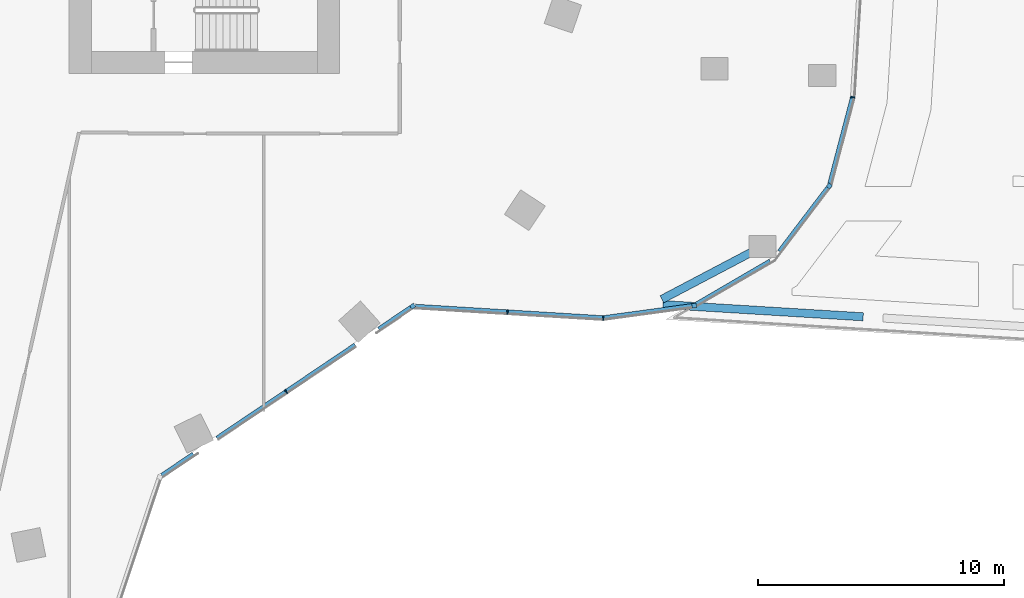
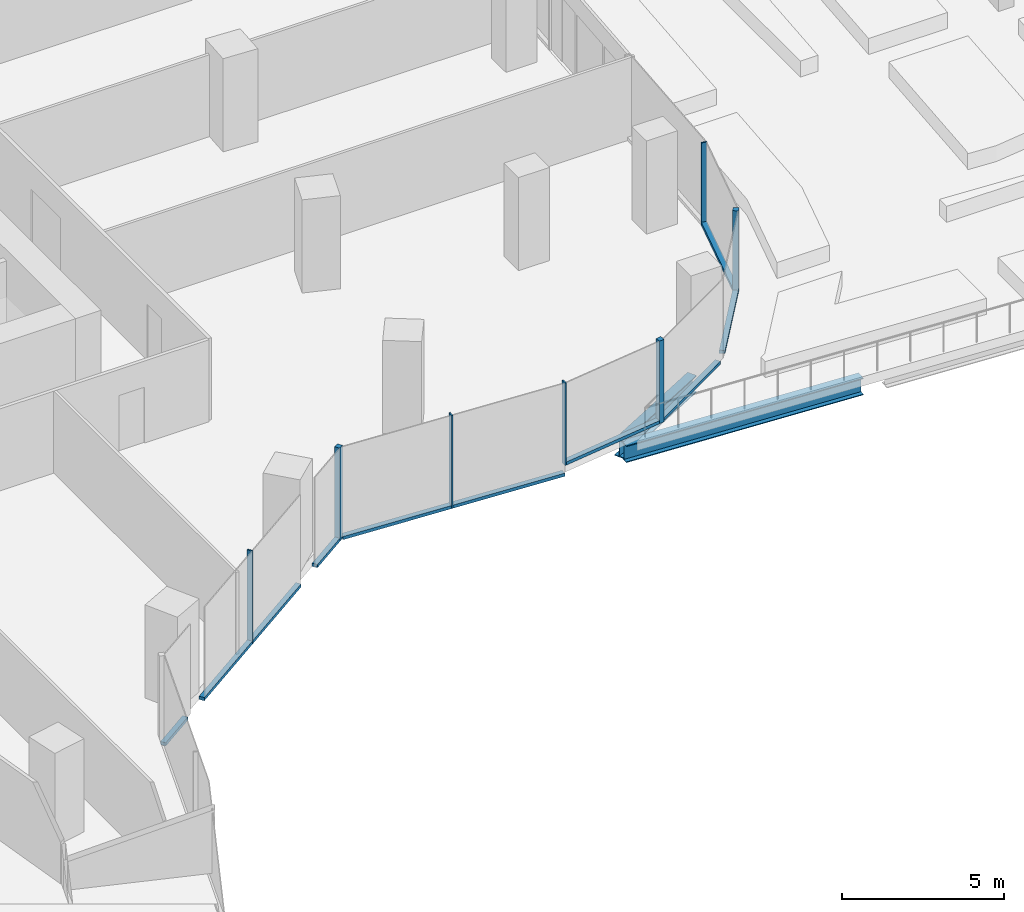
# One storey, part 7 of 26: 15 members, 2 beams, 6 elements without a shape of their own.
"""IFC4 building model written with IfcOpenShell, lengths in metres."""

from ifc_helpers import new_model, si_unit, direction, frame, origin, origin_2d, place, context, subcontext, project, spatial, rectangle, i_section, extrude, material, material_profile, profile_set, type_object, element, aggregate, save


model = new_model("IFC4")

# Units and contexts
model_context = context("Model", 3, precision=1e-05, world=origin(), true_north=direction((0.0, 1.0)))
body_context = subcontext(model_context, "Body", "Model", "MODEL_VIEW")
ifc_project = project(units=[si_unit("LENGTHUNIT", "METRE"), si_unit("AREAUNIT", "SQUARE_METRE"), si_unit("VOLUMEUNIT", "CUBIC_METRE"), si_unit("PLANEANGLEUNIT", "RADIAN"), si_unit("MASSUNIT", "GRAM", prefix="KILO")], contexts=[model_context])

# Site, building, storey
site_placement = place(None, origin())
site = spatial("IfcSite", under=ifc_project, at=site_placement, CompositionType="ELEMENT")
building_placement = place(site_placement, origin())
building = spatial("IfcBuilding", under=site, at=building_placement, Name="Orlundy Tower", CompositionType="ELEMENT")
storey_placement = place(building_placement, frame((0.0, 0.0, 156.10009765625)))
storey = spatial("IfcBuildingStorey", under=building, at=storey_placement, Name="L40", CompositionType="ELEMENT", Elevation=156.10009765625)

# Curtain wall, member
ifc_material_1 = material(Name="Aluminium bronze anodised", Category="aluminium")
curtain_wall_type = type_object("IfcCurtainWallType", Name="CW1 wall", PredefinedType="NOTDEFINED", material=ifc_material_1)
curtain_wall_1_placement = place(storey_placement, origin())
curtain_wall_1 = element("IfcCurtainWall", 1, at=curtain_wall_1_placement, inside=storey, type_object=curtain_wall_type, Name="CW1 run 013", PredefinedType="NOTDEFINED")
ifc_material_2 = material(Name="Aluminium bronze anodised", Category="aluminium")
ifc_material_profile_1 = material_profile(ifc_material_2, rectangle(XDim=0.179931640625, YDim=0.179931640625, at=origin_2d()), Name="CW1 corner post 180x180")
ifc_profile_set_1 = profile_set([ifc_material_profile_1], Name="Aluminium bronze anodised")
member_type_1 = type_object("IfcMemberType", Name="CW1 corner post 180x180", PredefinedType="MULLION", material=ifc_profile_set_1)
member_1_placement = place(storey_placement, frame((38.92236328125, -16.5771484375, 0.0), z_axis=(0.0, 0.0, 1.0), x_axis=(0.796001033516, -0.605295262364, 0.0)))
member_1 = element("IfcMember", 2, at=member_1_placement, type_object=member_type_1, Name="CW1 mullion 37", PredefinedType="MULLION", context=body_context, shape_type="SweptSolid", body=[
    extrude(rectangle(XDim=0.179931640625, YDim=0.179931640625, at=origin_2d()), origin(), (0.0, 0.0, 1.0), 3.099853515625),
])

curtain_wall_2_placement = place(storey_placement, origin())
curtain_wall_2 = element("IfcCurtainWall", 3, at=curtain_wall_2_placement, inside=storey, type_object=curtain_wall_type, Name="CW1 run 015", PredefinedType="NOTDEFINED")
member_2_placement = place(storey_placement, frame((33.423828125, -21.441650390625, 0.0), z_axis=(0.0, 0.0, 1.0), x_axis=(0.134884472094, -0.990861331967, 0.0)))
member_2 = element("IfcMember", 4, at=member_2_placement, type_object=member_type_1, Name="CW1 mullion 39", PredefinedType="MULLION", context=body_context, shape_type="SweptSolid", body=[
    extrude(rectangle(XDim=0.179931640625, YDim=0.179931640625, at=origin_2d()), origin(), (0.0, 0.0, 1.0), 3.099853515625),
])

curtain_wall_3_placement = place(storey_placement, origin())
curtain_wall_3 = element("IfcCurtainWall", 5, at=curtain_wall_3_placement, inside=storey, type_object=curtain_wall_type, Name="CW1 run 017", PredefinedType="NOTDEFINED")
member_3_placement = place(storey_placement, frame((21.97705078125, -21.4716796875, -0.400146484375), z_axis=(0.0, 0.0, 1.0), x_axis=(0.559164711565, -0.829056587538, 0.0)))
member_3 = element("IfcMember", 6, at=member_3_placement, type_object=member_type_1, Name="CW1 mullion 42", PredefinedType="MULLION", context=body_context, shape_type="SweptSolid", body=[
    extrude(rectangle(XDim=0.179931640625, YDim=0.179931640625, at=origin_2d()), origin(), (0.0, 0.0, 1.0), 3.5),
])

curtain_wall_4_placement = place(storey_placement, origin())
curtain_wall_4 = element("IfcCurtainWall", 7, at=curtain_wall_4_placement, inside=storey, type_object=curtain_wall_type, Name="CW1 run 012", PredefinedType="NOTDEFINED")
ifc_material_3 = material(Name="Aluminium bronze anodised", Category="aluminium")
ifc_material_profile_2 = material_profile(ifc_material_3, rectangle(XDim=0.179931640625, YDim=0.050048828125, at=origin_2d()), Name="CW1 mullion 50x180")
ifc_profile_set_2 = profile_set([ifc_material_profile_2], Name="Aluminium bronze anodised")
member_type_2 = type_object("IfcMemberType", Name="CW1 mullion 50x180", PredefinedType="MULLION", material=ifc_profile_set_2)
member_4_placement = place(storey_placement, frame((39.872314453125, -12.96728515625, 0.0), z_axis=(0.0, 0.0, 1.0), x_axis=(0.987356988025, -0.15851239131, 0.0)))
member_4 = element("IfcMember", 8, at=member_4_placement, type_object=member_type_2, Name="CW1 mullion 36", PredefinedType="MULLION", context=body_context, shape_type="SweptSolid", body=[
    extrude(rectangle(XDim=0.179931640625, YDim=0.050048828125, at=origin_2d()), origin(), (0.0, 0.0, 1.0), 3.099853515625),
])

# Curtain wall, members
curtain_wall_5_placement = place(storey_placement, origin())
curtain_wall_5 = element("IfcCurtainWall", 9, at=curtain_wall_5_placement, inside=storey, type_object=curtain_wall_type, Name="CW1 run 016", PredefinedType="NOTDEFINED")
member_5_placement = place(storey_placement, frame((29.724365234375, -21.9453125, 0.0), z_axis=(0.0, 0.0, 1.0), x_axis=(0.037107704539, -0.999311271959, 0.0)))
member_5 = element("IfcMember", 10, at=member_5_placement, type_object=member_type_2, Name="CW1 mullion 40", PredefinedType="MULLION", context=body_context, shape_type="SweptSolid", body=[
    extrude(rectangle(XDim=0.179931640625, YDim=0.050048828125, at=origin_2d()), origin(), (0.0, 0.0, 1.0), 3.099853515625),
])
member_6_placement = place(storey_placement, frame((25.8310546875, -21.707275390625, -0.400146484375), z_axis=(0.0, 0.0, 1.0), x_axis=(-0.061026473193, -0.998136147812, 0.0)))
member_6 = element("IfcMember", 11, at=member_6_placement, type_object=member_type_2, Name="CW1 mullion 41", PredefinedType="MULLION", context=body_context, shape_type="SweptSolid", body=[
    extrude(rectangle(XDim=0.179931640625, YDim=0.050048828125, at=origin_2d()), origin(), (0.0, 0.0, 1.0), 3.5),
])

# Member
member_7_placement = place(storey_placement, frame((16.826416015625, -24.945556640625, -0.400146484375), z_axis=(0.0, 0.0, 1.0), x_axis=(0.559164711565, -0.829056587538, 0.0)))
member_7 = element("IfcMember", 12, at=member_7_placement, type_object=member_type_2, Name="CW1 mullion 43", PredefinedType="MULLION", context=body_context, shape_type="SweptSolid", body=[
    extrude(rectangle(XDim=0.179931640625, YDim=0.050048828125, at=origin_2d()), origin(), (0.0, 0.0, 1.0), 3.5),
])

ifc_material_4 = material(Name="Aluminium bronze anodised", Category="aluminium")
ifc_material_profile_3 = material_profile(ifc_material_4, rectangle(XDim=0.179931640625, YDim=0.1201171875, at=origin_2d()), Name="CW1 transom 180x120")
ifc_profile_set_3 = profile_set([ifc_material_profile_3], Name="Aluminium bronze anodised")
member_type_3 = type_object("IfcMemberType", Name="CW1 transom 180x120", PredefinedType="USERDEFINED", material=ifc_profile_set_3)
member_8_placement = place(storey_placement, frame((39.865966796875, -12.99169921875, 0.059814453125), z_axis=(-0.254483312781, -0.967077165233, 0.0), x_axis=(0.967077165233, -0.254483312781, 0.0)))
member_8 = element("IfcMember", 13, at=member_8_placement, type_object=member_type_3, Name="CW1 transom", ObjectType="TRANSOM", PredefinedType="USERDEFINED", context=body_context, shape_type="SweptSolid", body=[
    extrude(rectangle(XDim=0.179931640625, YDim=0.1201171875, at=origin_2d()), origin(), (0.0, 0.0, 1.0), 3.610107421875),
])

aggregate(curtain_wall_4, [member_4, member_8])

member_9_placement = place(storey_placement, frame((38.867919921875, -16.64892578125, 0.059814453125), z_axis=(-0.605303879511, -0.79599448079, 0.0), x_axis=(0.79599448079, -0.605303879511, 0.0)))
member_9 = element("IfcMember", 14, at=member_9_placement, type_object=member_type_3, Name="CW1 transom", ObjectType="TRANSOM", PredefinedType="USERDEFINED", context=body_context, shape_type="SweptSolid", body=[
    extrude(rectangle(XDim=0.179931640625, YDim=0.1201171875, at=origin_2d()), origin(), (0.0, 0.0, 1.0), 3.25439453125),
])

aggregate(curtain_wall_1, [member_1, member_9])

# Curtain wall, member
curtain_wall_6_placement = place(storey_placement, origin())
curtain_wall_6 = element("IfcCurtainWall", 15, at=curtain_wall_6_placement, inside=storey, type_object=curtain_wall_type, Name="CW1 run 014", PredefinedType="NOTDEFINED")
member_10_placement = place(storey_placement, frame((36.515625, -19.638916015625, 0.059814453125), z_axis=(-0.863872991743, -0.50370969232, 0.0), x_axis=(0.50370969232, -0.863872991743, 0.0)))
member_10 = element("IfcMember", 16, at=member_10_placement, type_object=member_type_3, Name="CW1 transom", ObjectType="TRANSOM", PredefinedType="USERDEFINED", context=body_context, shape_type="SweptSolid", body=[
    extrude(rectangle(XDim=0.179931640625, YDim=0.1201171875, at=origin_2d()), origin(), (0.0, 0.0, 1.0), 3.4814453125),
])
aggregate(curtain_wall_6, [member_10])

# Member
member_11_placement = place(storey_placement, frame((33.334716796875, -21.453857421875, 0.059814453125), z_axis=(-0.990862984156, -0.134872334559, 0.0), x_axis=(0.134872334559, -0.990862984156, 0.0)))
member_11 = element("IfcMember", 17, at=member_11_placement, type_object=member_type_3, Name="CW1 transom", ObjectType="TRANSOM", PredefinedType="USERDEFINED", context=body_context, shape_type="SweptSolid", body=[
    extrude(rectangle(XDim=0.179931640625, YDim=0.1201171875, at=origin_2d()), origin(), (0.0, 0.0, 1.0), 3.618408203125),
])

aggregate(curtain_wall_2, [member_2, member_11])

member_12_placement = place(storey_placement, frame((29.69921875, -21.94384765625, -0.340087890625), z_axis=(-0.998135177426, 0.061042342558, 0.0), x_axis=(-0.061042342558, -0.998135177426, 0.0)))
member_12 = element("IfcMember", 18, at=member_12_placement, type_object=member_type_3, Name="CW1 transom", ObjectType="TRANSOM", PredefinedType="USERDEFINED", context=body_context, shape_type="SweptSolid", body=[
    extrude(rectangle(XDim=0.179931640625, YDim=0.1201171875, at=origin_2d()), origin(), (0.0, 0.0, 1.0), 7.623046875),
])

aggregate(curtain_wall_5, [member_5, member_6, member_12])

member_13_placement = place(storey_placement, frame((21.90234375, -21.52197265625, -0.340087890625), z_axis=(-0.829010314493, -0.559233313085, 0.0), x_axis=(0.559233313085, -0.829010314493, 0.0)))
member_13 = element("IfcMember", 19, at=member_13_placement, type_object=member_type_3, Name="CW1 transom", ObjectType="TRANSOM", PredefinedType="USERDEFINED", context=body_context, shape_type="SweptSolid", body=[
    extrude(rectangle(XDim=0.179931640625, YDim=0.1201171875, at=origin_2d()), origin(), (0.0, 0.0, 1.0), 1.575439453125),
])

member_14_placement = place(storey_placement, frame((19.64306640625, -23.0458984375, -0.340087890625), z_axis=(-0.829070192191, -0.559144539828, 0.0), x_axis=(0.559144539828, -0.829070192191, 0.0)))
member_14 = element("IfcMember", 20, at=member_14_placement, type_object=member_type_3, Name="CW1 transom", ObjectType="TRANSOM", PredefinedType="USERDEFINED", context=body_context, shape_type="SweptSolid", body=[
    extrude(rectangle(XDim=0.179931640625, YDim=0.1201171875, at=origin_2d()), origin(), (0.0, 0.0, 1.0), 6.79541015625),
])

member_15_placement = place(storey_placement, frame((13.0546875, -27.4892578125, -0.340087890625), z_axis=(-0.828960042041, -0.55930783, 0.0), x_axis=(0.55930783, -0.828960042041, 0.0)))
member_15 = element("IfcMember", 21, at=member_15_placement, type_object=member_type_3, Name="CW1 transom", ObjectType="TRANSOM", PredefinedType="USERDEFINED", context=body_context, shape_type="SweptSolid", body=[
    extrude(rectangle(XDim=0.179931640625, YDim=0.1201171875, at=origin_2d()), origin(), (0.0, 0.0, 1.0), 1.550048828125),
])

aggregate(curtain_wall_3, [member_3, member_7, member_13, member_14, member_15])

# Beams
ifc_material_5 = material(Name="Steel ASTM A992 Gr 50", Category="steel")
ifc_material_profile_4 = material_profile(ifc_material_5, i_section(OverallWidth=0.3291015625, OverallDepth=0.635009765625, WebThickness=0.017822265625, FlangeThickness=0.031005859375, at=origin_2d()), Name="W24X162")
ifc_profile_set_4 = profile_set([ifc_material_profile_4], Name="Steel ASTM A992 Gr 50")
beam_type = type_object("IfcBeamType", Name="TERRACE EDGE BEAM beam W24X162", PredefinedType="BEAM", material=ifc_profile_set_4)
beam_1_placement = place(storey_placement, frame((32.1123046875, -21.189453125, -0.717529296875), z_axis=(0.884900619511, 0.465779876753, 0.0), x_axis=(-0.465779876753, 0.884900619511, 0.0)))
element("IfcBeam", 22, at=beam_1_placement, inside=storey, type_object=beam_type, Name="Terrace edge beam L40-1-01", PredefinedType="BEAM", context=body_context, shape_type="SweptSolid", body=[
    extrude(i_section(OverallWidth=0.3291015625, OverallDepth=0.635009765625, WebThickness=0.017822265625, FlangeThickness=0.031005859375, at=origin_2d()), origin(), (0.0, 0.0, 1.0), 4.212158203125),
])
beam_2_placement = place(storey_placement, frame((40.2998046875, -21.901123046875, -0.717529296875), z_axis=(-0.998132337377, 0.061088763961, 0.0), x_axis=(-0.061088763961, -0.998132337377, 0.0)))
element("IfcBeam", 23, at=beam_2_placement, inside=storey, type_object=beam_type, Name="Terrace edge beam L40-1-13", PredefinedType="BEAM", context=body_context, shape_type="SweptSolid", body=[
    extrude(i_section(OverallWidth=0.3291015625, OverallDepth=0.635009765625, WebThickness=0.017822265625, FlangeThickness=0.031005859375, at=origin_2d()), origin(), (0.0, 0.0, 1.0), 8.15673828125),
])

save(model, "model.ifc")
